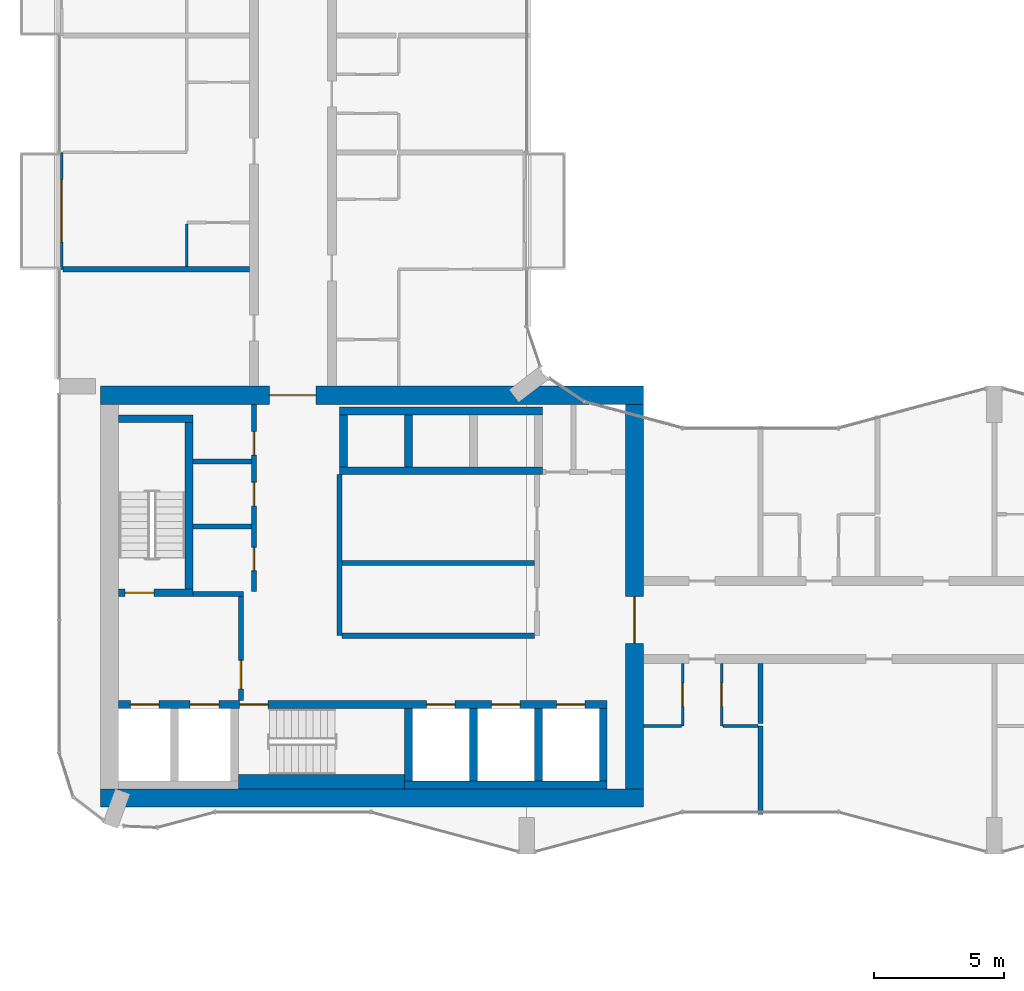
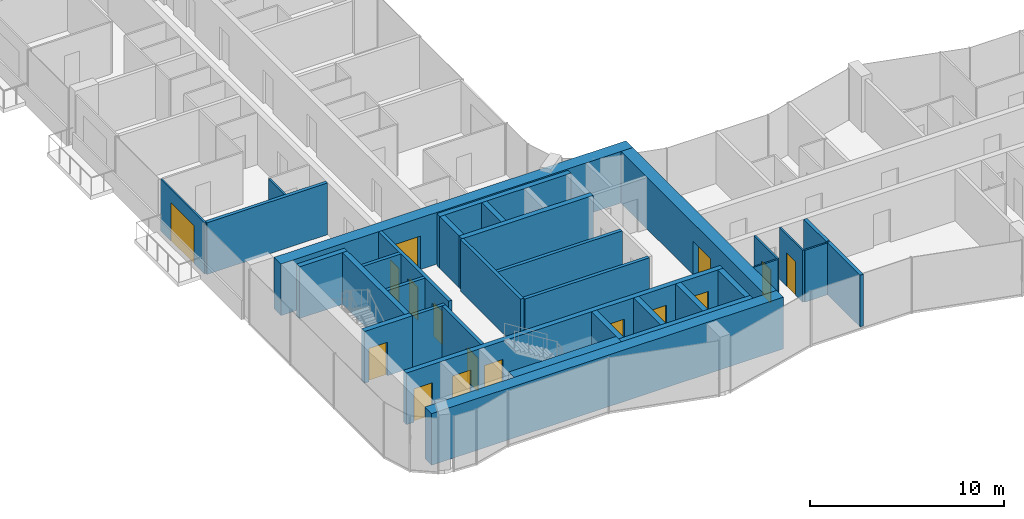
# One storey, part 13 of 22: 34 walls, 16 doors, 16 openings.
"""IFC4 building model written with IfcOpenShell, lengths in metres."""

from ifc_helpers import new_model, si_unit, direction, frame, frame_2d, origin, place, context, subcontext, project, spatial, rectangle, extrude, material, layer, layer_set, type_object, element, fill, save


model = new_model("IFC4")

# Units and contexts
model_context = context("Model", 3, precision=1e-05, world=origin(), true_north=direction((0.0, 1.0)))
body_context = subcontext(model_context, "Body", "Model", "MODEL_VIEW")
ifc_project = project(units=[si_unit("LENGTHUNIT", "METRE"), si_unit("AREAUNIT", "SQUARE_METRE"), si_unit("VOLUMEUNIT", "CUBIC_METRE"), si_unit("PLANEANGLEUNIT", "RADIAN"), si_unit("MASSUNIT", "GRAM", prefix="KILO")], contexts=[model_context])

# Site, building, storey
site_placement = place(None, origin())
site = spatial("IfcSite", under=ifc_project, at=site_placement, CompositionType="ELEMENT")
building_placement = place(site_placement, origin())
building = spatial("IfcBuilding", under=site, at=building_placement, Name="Plateau Cross Towers", CompositionType="ELEMENT")
storey_placement = place(building_placement, frame((0.0, 0.0, 61.800048828125)))
storey = spatial("IfcBuildingStorey", under=building, at=storey_placement, Name="L15", CompositionType="ELEMENT", Elevation=61.800048828125)

# Wall, opening, door
ifc_material_1 = material(Name="Aluminium framed glazing", Category="aluminium")
ifc_layer_1 = layer(ifc_material_1, 0.10009765625)
ifc_layer_set_1 = layer_set([ifc_layer_1], Name="Aluminium framed glazing")
wall_type_1 = type_object("IfcWallType", Name="Balcony screen wall 100", PredefinedType="STANDARD", material=ifc_layer_set_1)
wall_1_placement = place(storey_placement, frame((0.10009765625, 22.5, 0.0), z_axis=(0.0, 0.0, 1.0), x_axis=(0.0, 1.0, 0.0)))
wall_1 = element("IfcWall", 1, at=wall_1_placement, inside=storey, type_object=wall_type_1, Name="Balcony screen wall A-BAL-L15-01", PredefinedType="STANDARD", context=body_context, shape_type="SweptSolid", body=[
    extrude(rectangle(XDim=4.5, YDim=0.10009765625, at=frame_2d((2.25, 0.0))), origin(), (0.0, 0.0, 1.0), 3.25),
])
opening_1_placement = place(wall_1_placement, frame((1.050048828125, 0.0, 0.0)))
opening_1 = element("IfcOpeningElement", 2, at=opening_1_placement, cuts=wall_1, Name="Opening D-B24", PredefinedType="OPENING", context=body_context, shape_type="SweptSolid", body=[
    extrude(rectangle(XDim=2.39990234375, YDim=2.39990234375, at=frame_2d((1.199951171875, 1.199951171875))), frame((0.0, 0.06005859375, 0.0), z_axis=(0.0, -1.0, 0.0), x_axis=(1.0, 0.0, 0.0)), (0.0, 0.0, 1.0), 0.1201171875),
])
ifc_material_2 = material(Name="Aluminium frame, double glazing", Category="aluminium")
door_type_1 = type_object("IfcDoorType", Name="Balcony sliding door 2400", OperationType="NOTDEFINED", PredefinedType="DOOR", material=ifc_material_2)
door_1_placement = place(opening_1_placement, origin())
door_1 = element("IfcDoor", 3, at=door_1_placement, inside=storey, type_object=door_type_1, Name="Balcony door A-BAL-L15-01", OperationType="SINGLE_SWING_LEFT", OverallHeight=2.39990234375, OverallWidth=2.39990234375, PredefinedType="DOOR", context=body_context, shape_type="SweptSolid", body=[
    extrude(rectangle(XDim=2.39990234375, YDim=2.39990234375, at=frame_2d((1.199951171875, 1.199951171875))), frame((0.0, 0.02490234375, 0.0), z_axis=(0.0, -1.0, 0.0), x_axis=(1.0, 0.0, 0.0)), (0.0, 0.0, 1.0), 0.050048828125),
])
fill(opening_1, door_1)

ifc_material_3 = material(Name="Concrete block, plastered both sides", Category="concrete")
ifc_layer_2 = layer(ifc_material_3, 0.199951171875)
ifc_layer_set_2 = layer_set([ifc_layer_2], Name="Concrete block, plastered both sides")
wall_type_2 = type_object("IfcWallType", Name="Core partition 200", PredefinedType="PARTITIONING", material=ifc_layer_set_2)
wall_2_placement = place(storey_placement, frame((7.0, 5.89990234375, 0.0), z_axis=(0.0, 0.0, 1.0), x_axis=(0.0, 1.0, 0.0)))
wall_2 = element("IfcWall", 4, at=wall_2_placement, inside=storey, type_object=wall_type_2, Name="Core partition", PredefinedType="PARTITIONING", context=body_context, shape_type="SweptSolid", body=[
    extrude(rectangle(XDim=4.0, YDim=0.199951171875, at=frame_2d((2.0, 0.0))), origin(), (0.0, 0.0, 1.0), 3.25),
])
opening_2_placement = place(wall_2_placement, frame((0.449951171875, 0.0, 0.0)))
opening_2 = element("IfcOpeningElement", 5, at=opening_2_placement, cuts=wall_2, Name="Opening FFD", PredefinedType="OPENING", context=body_context, shape_type="SweptSolid", body=[
    extrude(rectangle(XDim=1.10009765625, YDim=2.10009765625, at=frame_2d((0.550048828125, 1.050048828125))), frame((0.0, 0.10986328125, 0.0), z_axis=(0.0, -1.0, 0.0), x_axis=(1.0, 0.0, 0.0)), (0.0, 0.0, 1.0), 0.219970703125),
])
ifc_material_4 = material(Name="Steel, fire-resisting leaf", Category="steel")
door_type_2 = type_object("IfcDoorType", Name="Firefighting lobby door 1100", OperationType="NOTDEFINED", PredefinedType="DOOR", material=ifc_material_4)
door_2_placement = place(opening_2_placement, origin())
door_2 = element("IfcDoor", 6, at=door_2_placement, inside=storey, type_object=door_type_2, Name="Firefighting lobby door FFD", OperationType="SINGLE_SWING_LEFT", OverallHeight=2.10009765625, OverallWidth=1.10009765625, PredefinedType="DOOR", context=body_context, shape_type="SweptSolid", body=[
    extrude(rectangle(XDim=1.10009765625, YDim=2.10009765625, at=frame_2d((0.550048828125, 1.050048828125))), frame((0.0, 0.02490234375, 0.0), z_axis=(0.0, -1.0, 0.0), x_axis=(1.0, 0.0, 0.0)), (0.0, 0.0, 1.0), 0.050048828125),
])
fill(opening_2, door_2)

# Walls
wall_3_placement = place(storey_placement, frame((5.14990234375, 10.0, 0.0), z_axis=(0.0, 0.0, 1.0), x_axis=(1.0, 0.0, 0.0)))
element("IfcWall", 7, at=wall_3_placement, inside=storey, type_object=wall_type_2, Name="Core partition", PredefinedType="PARTITIONING", context=body_context, shape_type="SweptSolid", body=[
    extrude(rectangle(XDim=1.9501953125, YDim=0.199951171875, at=frame_2d((0.97509765625, 0.0))), origin(), (0.0, 0.0, 1.0), 3.25),
])
wall_4_placement = place(storey_placement, frame((10.800048828125, 8.39990234375, 0.0), z_axis=(0.0, 0.0, 1.0), x_axis=(0.0, 1.0, 0.0)))
element("IfcWall", 8, at=wall_4_placement, inside=storey, type_object=wall_type_2, Name="Core partition", PredefinedType="PARTITIONING", context=body_context, shape_type="SweptSolid", body=[
    extrude(rectangle(XDim=6.2001953125, YDim=0.199951171875, at=frame_2d((3.10009765625, 0.0))), origin(), (0.0, 0.0, 1.0), 3.25),
])
for number, where, z_axis, x_axis, name in (
    (9, (10.89990234375, 8.39990234375, 0.0), (0.0, 0.0, 1.0), (1.0, 0.0, 0.0), "Core partition"),
    (10, (10.89990234375, 11.199951171875, 0.0), (0.0, 0.0, 1.0), (1.0, 0.0, 0.0), "Core partition"),
):
    element("IfcWall", number, at=place(storey_placement, frame(where, z_axis=z_axis, x_axis=x_axis)), inside=storey, type_object=wall_type_2, Name=name, PredefinedType="PARTITIONING", context=body_context, shape_type="SweptSolid", body=[
        extrude(rectangle(XDim=7.400146484375, YDim=0.199951171875, at=frame_2d((3.7001953125, 0.0))), origin(), (0.0, 0.0, 1.0), 3.25),
    ])

# Wall, openings, doors
wall_5_placement = place(storey_placement, frame((7.5, 10.10009765625, 0.0), z_axis=(0.0, 0.0, 1.0), x_axis=(0.0, 1.0, 0.0)))
wall_5 = element("IfcWall", 11, at=wall_5_placement, inside=storey, type_object=wall_type_2, Name="Core partition", PredefinedType="PARTITIONING", context=body_context, shape_type="SweptSolid", body=[
    extrude(rectangle(XDim=7.199951171875, YDim=0.199951171875, at=frame_2d((3.60009765625, 0.0))), origin(), (0.0, 0.0, 1.0), 3.25),
])
opening_3_placement = place(wall_5_placement, frame((0.800048828125, 0.0, 0.0)))
opening_3 = element("IfcOpeningElement", 12, at=opening_3_placement, cuts=wall_5, Name="Opening RD1", PredefinedType="OPENING", context=body_context, shape_type="SweptSolid", body=[
    extrude(rectangle(XDim=0.89990234375, YDim=2.10009765625, at=frame_2d((0.449951171875, 1.050048828125))), frame((0.0, 0.10986328125, 0.0), z_axis=(0.0, -1.0, 0.0), x_axis=(1.0, 0.0, 0.0)), (0.0, 0.0, 1.0), 0.219970703125),
])
opening_4_placement = place(wall_5_placement, frame((3.300048828125, 0.0, 0.0)))
opening_4 = element("IfcOpeningElement", 13, at=opening_4_placement, cuts=wall_5, Name="Opening RD1", PredefinedType="OPENING", context=body_context, shape_type="SweptSolid", body=[
    extrude(rectangle(XDim=0.89990234375, YDim=2.10009765625, at=frame_2d((0.449951171875, 1.050048828125))), frame((0.0, 0.10986328125, 0.0), z_axis=(0.0, -1.0, 0.0), x_axis=(1.0, 0.0, 0.0)), (0.0, 0.0, 1.0), 0.219970703125),
])
opening_5_placement = place(wall_5_placement, frame((5.25, 0.0, 0.0)))
opening_5 = element("IfcOpeningElement", 14, at=opening_5_placement, cuts=wall_5, Name="Opening RD1", PredefinedType="OPENING", context=body_context, shape_type="SweptSolid", body=[
    extrude(rectangle(XDim=0.89990234375, YDim=2.10009765625, at=frame_2d((0.449951171875, 1.050048828125))), frame((0.0, 0.10986328125, 0.0), z_axis=(0.0, -1.0, 0.0), x_axis=(1.0, 0.0, 0.0)), (0.0, 0.0, 1.0), 0.219970703125),
])
ifc_material_5 = material(Name="Timber, fire-resisting leaf", Category="wood")
door_type_3 = type_object("IfcDoorType", Name="Core service door 900", OperationType="NOTDEFINED", PredefinedType="DOOR", material=ifc_material_5)
door_3_placement = place(opening_3_placement, origin())
door_3 = element("IfcDoor", 15, at=door_3_placement, inside=storey, type_object=door_type_3, Name="Core service door RD1", OperationType="SINGLE_SWING_RIGHT", OverallHeight=2.10009765625, OverallWidth=0.89990234375, PredefinedType="DOOR", context=body_context, shape_type="SweptSolid", body=[
    extrude(rectangle(XDim=0.89990234375, YDim=2.10009765625, at=frame_2d((0.449951171875, 1.050048828125))), frame((0.0, 0.02490234375, 0.0), z_axis=(0.0, -1.0, 0.0), x_axis=(1.0, 0.0, 0.0)), (0.0, 0.0, 1.0), 0.050048828125),
])
fill(opening_3, door_3)
door_4_placement = place(opening_4_placement, origin())
door_4 = element("IfcDoor", 16, at=door_4_placement, inside=storey, type_object=door_type_3, Name="Core service door RD1", OperationType="SINGLE_SWING_RIGHT", OverallHeight=2.10009765625, OverallWidth=0.89990234375, PredefinedType="DOOR", context=body_context, shape_type="SweptSolid", body=[
    extrude(rectangle(XDim=0.89990234375, YDim=2.10009765625, at=frame_2d((0.449951171875, 1.050048828125))), frame((0.0, 0.02490234375, 0.0), z_axis=(0.0, -1.0, 0.0), x_axis=(1.0, 0.0, 0.0)), (0.0, 0.0, 1.0), 0.050048828125),
])
fill(opening_4, door_4)
door_5_placement = place(opening_5_placement, origin())
door_5 = element("IfcDoor", 17, at=door_5_placement, inside=storey, type_object=door_type_3, Name="Core service door RD1", OperationType="SINGLE_SWING_RIGHT", OverallHeight=2.10009765625, OverallWidth=0.89990234375, PredefinedType="DOOR", context=body_context, shape_type="SweptSolid", body=[
    extrude(rectangle(XDim=0.89990234375, YDim=2.10009765625, at=frame_2d((0.449951171875, 1.050048828125))), frame((0.0, 0.02490234375, 0.0), z_axis=(0.0, -1.0, 0.0), x_axis=(1.0, 0.0, 0.0)), (0.0, 0.0, 1.0), 0.050048828125),
])
fill(opening_5, door_5)

# Walls
for number, where, z_axis, x_axis, name in (
    (18, (5.14990234375, 12.60009765625, 0.0), (0.0, 0.0, 1.0), (1.0, 0.0, 0.0), "Core partition"),
    (19, (5.14990234375, 15.10009765625, 0.0), (0.0, 0.0, 1.0), (1.0, 0.0, 0.0), "Core partition"),
):
    element("IfcWall", number, at=place(storey_placement, frame(where, z_axis=z_axis, x_axis=x_axis)), inside=storey, type_object=wall_type_2, Name=name, PredefinedType="PARTITIONING", context=body_context, shape_type="SweptSolid", body=[
        extrude(rectangle(XDim=2.25, YDim=0.199951171875, at=frame_2d((1.125, 0.0))), origin(), (0.0, 0.0, 1.0), 3.25),
    ])
ifc_material_6 = material(Name="Concrete C60/75", Category="concrete")
ifc_layer_3 = layer(ifc_material_6, 0.300048828125)
ifc_layer_set_3 = layer_set([ifc_layer_3], Name="Concrete C60/75")
wall_type_3 = type_object("IfcWallType", Name="Core shaft wall 300", PredefinedType="SHEAR", material=ifc_layer_set_3)
wall_6_placement = place(storey_placement, frame((13.300048828125, 2.64990234375, 0.0), z_axis=(0.0, 0.0, 1.0), x_axis=(1.0, 0.0, 0.0)))
element("IfcWall", 20, at=wall_6_placement, inside=storey, type_object=wall_type_3, Name="A-sb-back3@L15", PredefinedType="SHEAR", context=body_context, shape_type="SweptSolid", body=[
    extrude(rectangle(XDim=7.800048828125, YDim=0.300048828125, at=frame_2d((3.89990234375, 0.0))), origin(), (0.0, 0.0, 1.0), 3.25),
])
for number, where, z_axis, x_axis, name in (
    (21, (13.449951171875, 2.800048828125, 0.0), (0.0, 0.0, 1.0), (0.0, 1.0, 0.0), "A-sb-v3@L15"),
    (22, (15.949951171875, 2.800048828125, 0.0), (0.0, 0.0, 1.0), (0.0, 1.0, 0.0), "A-sb-v4@L15"),
    (23, (18.449951171875, 2.800048828125, 0.0), (0.0, 0.0, 1.0), (0.0, 1.0, 0.0), "A-sb-v5@L15"),
    (24, (20.949951171875, 2.800048828125, 0.0), (0.0, 0.0, 1.0), (0.0, 1.0, 0.0), "A-sb-v6@L15"),
):
    element("IfcWall", number, at=place(storey_placement, frame(where, z_axis=z_axis, x_axis=x_axis)), inside=storey, type_object=wall_type_3, Name=name, PredefinedType="SHEAR", context=body_context, shape_type="SweptSolid", body=[
        extrude(rectangle(XDim=2.800048828125, YDim=0.300048828125, at=frame_2d((1.39990234375, 0.0))), origin(), (0.0, 0.0, 1.0), 3.25),
    ])

# Wall, openings, doors
wall_7_placement = place(storey_placement, frame((2.300048828125, 5.75, 0.0), z_axis=(0.0, 0.0, 1.0), x_axis=(1.0, 0.0, 0.0)))
wall_7 = element("IfcWall", 25, at=wall_7_placement, inside=storey, type_object=wall_type_3, Name="A-sb-front@L15", PredefinedType="SHEAR", context=body_context, shape_type="SweptSolid", body=[
    extrude(rectangle(XDim=18.800048828125, YDim=0.300048828125, at=frame_2d((9.39990234375, 0.0))), origin(), (0.0, 0.0, 1.0), 3.25),
])
opening_6_placement = place(wall_7_placement, frame((4.64990234375, 0.0, 0.0)))
opening_6 = element("IfcOpeningElement", 26, at=opening_6_placement, cuts=wall_7, Name="Opening SD", PredefinedType="OPENING", context=body_context, shape_type="SweptSolid", body=[
    extrude(rectangle(XDim=1.10009765625, YDim=2.10009765625, at=frame_2d((0.550048828125, 1.050048828125))), frame((0.0, 0.159912109375, 0.0), z_axis=(0.0, -1.0, 0.0), x_axis=(1.0, 0.0, 0.0)), (0.0, 0.0, 1.0), 0.320068359375),
])
opening_7_placement = place(wall_7_placement, frame((0.449951171875, 0.0, 0.0)))
opening_7 = element("IfcOpeningElement", 27, at=opening_7_placement, cuts=wall_7, Name="Opening LD", PredefinedType="OPENING", context=body_context, shape_type="SweptSolid", body=[
    extrude(rectangle(XDim=1.10009765625, YDim=2.10009765625, at=frame_2d((0.550048828125, 1.050048828125))), frame((0.0, 0.159912109375, 0.0), z_axis=(0.0, -1.0, 0.0), x_axis=(1.0, 0.0, 0.0)), (0.0, 0.0, 1.0), 0.320068359375),
])
opening_8_placement = place(wall_7_placement, frame((2.75, 0.0, 0.0)))
opening_8 = element("IfcOpeningElement", 28, at=opening_8_placement, cuts=wall_7, Name="Opening LD", PredefinedType="OPENING", context=body_context, shape_type="SweptSolid", body=[
    extrude(rectangle(XDim=1.10009765625, YDim=2.10009765625, at=frame_2d((0.550048828125, 1.050048828125))), frame((0.0, 0.159912109375, 0.0), z_axis=(0.0, -1.0, 0.0), x_axis=(1.0, 0.0, 0.0)), (0.0, 0.0, 1.0), 0.320068359375),
])
opening_9_placement = place(wall_7_placement, frame((11.85009765625, 0.0, 0.0)))
opening_9 = element("IfcOpeningElement", 29, at=opening_9_placement, cuts=wall_7, Name="Opening LD", PredefinedType="OPENING", context=body_context, shape_type="SweptSolid", body=[
    extrude(rectangle(XDim=1.10009765625, YDim=2.10009765625, at=frame_2d((0.550048828125, 1.050048828125))), frame((0.0, 0.159912109375, 0.0), z_axis=(0.0, -1.0, 0.0), x_axis=(1.0, 0.0, 0.0)), (0.0, 0.0, 1.0), 0.320068359375),
])
opening_10_placement = place(wall_7_placement, frame((14.35009765625, 0.0, 0.0)))
opening_10 = element("IfcOpeningElement", 30, at=opening_10_placement, cuts=wall_7, Name="Opening LD", PredefinedType="OPENING", context=body_context, shape_type="SweptSolid", body=[
    extrude(rectangle(XDim=1.10009765625, YDim=2.10009765625, at=frame_2d((0.550048828125, 1.050048828125))), frame((0.0, 0.159912109375, 0.0), z_axis=(0.0, -1.0, 0.0), x_axis=(1.0, 0.0, 0.0)), (0.0, 0.0, 1.0), 0.320068359375),
])
opening_11_placement = place(wall_7_placement, frame((16.85009765625, 0.0, 0.0)))
opening_11 = element("IfcOpeningElement", 31, at=opening_11_placement, cuts=wall_7, Name="Opening LD", PredefinedType="OPENING", context=body_context, shape_type="SweptSolid", body=[
    extrude(rectangle(XDim=1.10009765625, YDim=2.10009765625, at=frame_2d((0.550048828125, 1.050048828125))), frame((0.0, 0.159912109375, 0.0), z_axis=(0.0, -1.0, 0.0), x_axis=(1.0, 0.0, 0.0)), (0.0, 0.0, 1.0), 0.320068359375),
])
ifc_material_7 = material(Name="Stainless steel, fire-resisting sliding leaves", Category="steel")
door_type_4 = type_object("IfcDoorType", Name="Lift landing door 1100", OperationType="NOTDEFINED", PredefinedType="DOOR", material=ifc_material_7)
door_6_placement = place(opening_7_placement, origin())
door_6 = element("IfcDoor", 32, at=door_6_placement, inside=storey, type_object=door_type_4, Name="Lift landing door LD", OperationType="DOUBLE_DOOR_SLIDING", OverallHeight=2.10009765625, OverallWidth=1.10009765625, PredefinedType="DOOR", context=body_context, shape_type="SweptSolid", body=[
    extrude(rectangle(XDim=1.10009765625, YDim=2.10009765625, at=frame_2d((0.550048828125, 1.050048828125))), frame((0.0, 0.02490234375, 0.0), z_axis=(0.0, -1.0, 0.0), x_axis=(1.0, 0.0, 0.0)), (0.0, 0.0, 1.0), 0.050048828125),
])
fill(opening_7, door_6)
door_7_placement = place(opening_8_placement, origin())
door_7 = element("IfcDoor", 33, at=door_7_placement, inside=storey, type_object=door_type_4, Name="Lift landing door LD", OperationType="DOUBLE_DOOR_SLIDING", OverallHeight=2.10009765625, OverallWidth=1.10009765625, PredefinedType="DOOR", context=body_context, shape_type="SweptSolid", body=[
    extrude(rectangle(XDim=1.10009765625, YDim=2.10009765625, at=frame_2d((0.550048828125, 1.050048828125))), frame((0.0, 0.02490234375, 0.0), z_axis=(0.0, -1.0, 0.0), x_axis=(1.0, 0.0, 0.0)), (0.0, 0.0, 1.0), 0.050048828125),
])
fill(opening_8, door_7)
door_8_placement = place(opening_9_placement, origin())
door_8 = element("IfcDoor", 34, at=door_8_placement, inside=storey, type_object=door_type_4, Name="Lift landing door LD", OperationType="DOUBLE_DOOR_SLIDING", OverallHeight=2.10009765625, OverallWidth=1.10009765625, PredefinedType="DOOR", context=body_context, shape_type="SweptSolid", body=[
    extrude(rectangle(XDim=1.10009765625, YDim=2.10009765625, at=frame_2d((0.550048828125, 1.050048828125))), frame((0.0, 0.02490234375, 0.0), z_axis=(0.0, -1.0, 0.0), x_axis=(1.0, 0.0, 0.0)), (0.0, 0.0, 1.0), 0.050048828125),
])
fill(opening_9, door_8)
door_9_placement = place(opening_10_placement, origin())
door_9 = element("IfcDoor", 35, at=door_9_placement, inside=storey, type_object=door_type_4, Name="Lift landing door LD", OperationType="DOUBLE_DOOR_SLIDING", OverallHeight=2.10009765625, OverallWidth=1.10009765625, PredefinedType="DOOR", context=body_context, shape_type="SweptSolid", body=[
    extrude(rectangle(XDim=1.10009765625, YDim=2.10009765625, at=frame_2d((0.550048828125, 1.050048828125))), frame((0.0, 0.02490234375, 0.0), z_axis=(0.0, -1.0, 0.0), x_axis=(1.0, 0.0, 0.0)), (0.0, 0.0, 1.0), 0.050048828125),
])
fill(opening_10, door_9)
door_10_placement = place(opening_11_placement, origin())
door_10 = element("IfcDoor", 36, at=door_10_placement, inside=storey, type_object=door_type_4, Name="Lift landing door LD", OperationType="DOUBLE_DOOR_SLIDING", OverallHeight=2.10009765625, OverallWidth=1.10009765625, PredefinedType="DOOR", context=body_context, shape_type="SweptSolid", body=[
    extrude(rectangle(XDim=1.10009765625, YDim=2.10009765625, at=frame_2d((0.550048828125, 1.050048828125))), frame((0.0, 0.02490234375, 0.0), z_axis=(0.0, -1.0, 0.0), x_axis=(1.0, 0.0, 0.0)), (0.0, 0.0, 1.0), 0.050048828125),
])
fill(opening_11, door_10)
door_type_5 = type_object("IfcDoorType", Name="Stair door 1100", OperationType="NOTDEFINED", PredefinedType="DOOR", material=ifc_material_4)
door_11_placement = place(opening_6_placement, origin())
door_11 = element("IfcDoor", 37, at=door_11_placement, inside=storey, type_object=door_type_5, Name="Stair door SD", OperationType="SINGLE_SWING_LEFT", OverallHeight=2.10009765625, OverallWidth=1.10009765625, PredefinedType="DOOR", context=body_context, shape_type="SweptSolid", body=[
    extrude(rectangle(XDim=1.10009765625, YDim=2.10009765625, at=frame_2d((0.550048828125, 1.050048828125))), frame((0.0, 0.02490234375, 0.0), z_axis=(0.0, -1.0, 0.0), x_axis=(1.0, 0.0, 0.0)), (0.0, 0.0, 1.0), 0.050048828125),
])
fill(opening_6, door_11)

# Wall, opening, door
wall_8_placement = place(storey_placement, frame((2.300048828125, 10.050048828125, 0.0), z_axis=(0.0, 0.0, 1.0), x_axis=(1.0, 0.0, 0.0)))
wall_8 = element("IfcWall", 38, at=wall_8_placement, inside=storey, type_object=wall_type_3, Name="A-st1-S@L15", PredefinedType="SHEAR", context=body_context, shape_type="SweptSolid", body=[
    extrude(rectangle(XDim=2.849853515625, YDim=0.300048828125, at=frame_2d((1.4248046875, 0.0))), origin(), (0.0, 0.0, 1.0), 3.25),
])
opening_12_placement = place(wall_8_placement, frame((0.25, 0.0, 0.0)))
opening_12 = element("IfcOpeningElement", 39, at=opening_12_placement, cuts=wall_8, Name="Opening SD", PredefinedType="OPENING", context=body_context, shape_type="SweptSolid", body=[
    extrude(rectangle(XDim=1.10009765625, YDim=2.10009765625, at=frame_2d((0.550048828125, 1.050048828125))), frame((0.0, 0.159912109375, 0.0), z_axis=(0.0, -1.0, 0.0), x_axis=(1.0, 0.0, 0.0)), (0.0, 0.0, 1.0), 0.320068359375),
])
door_12_placement = place(opening_12_placement, origin())
door_12 = element("IfcDoor", 40, at=door_12_placement, inside=storey, type_object=door_type_5, Name="Stair door SD", OperationType="SINGLE_SWING_RIGHT", OverallHeight=2.10009765625, OverallWidth=1.10009765625, PredefinedType="DOOR", context=body_context, shape_type="SweptSolid", body=[
    extrude(rectangle(XDim=1.10009765625, YDim=2.10009765625, at=frame_2d((0.550048828125, 1.050048828125))), frame((0.0, 0.02490234375, 0.0), z_axis=(0.0, -1.0, 0.0), x_axis=(1.0, 0.0, 0.0)), (0.0, 0.0, 1.0), 0.050048828125),
])
fill(opening_12, door_12)

# Walls
wall_9_placement = place(storey_placement, frame((5.0, 10.199951171875, 0.0), z_axis=(0.0, 0.0, 1.0), x_axis=(0.0, 1.0, 0.0)))
element("IfcWall", 41, at=wall_9_placement, inside=storey, type_object=wall_type_3, Name="A-st1-E@L15", PredefinedType="SHEAR", context=body_context, shape_type="SweptSolid", body=[
    extrude(rectangle(XDim=6.400146484375, YDim=0.300048828125, at=frame_2d((3.2001953125, 0.0))), origin(), (0.0, 0.0, 1.0), 3.25),
])
wall_10_placement = place(storey_placement, frame((2.300048828125, 16.75, 0.0), z_axis=(0.0, 0.0, 1.0), x_axis=(1.0, 0.0, 0.0)))
element("IfcWall", 42, at=wall_10_placement, inside=storey, type_object=wall_type_3, Name="A-st1-N@L15", PredefinedType="SHEAR", context=body_context, shape_type="SweptSolid", body=[
    extrude(rectangle(XDim=2.849853515625, YDim=0.300048828125, at=frame_2d((1.4248046875, 0.0))), origin(), (0.0, 0.0, 1.0), 3.25),
])
for number, where, z_axis, x_axis, name in (
    (43, (10.800048828125, 17.050048828125, 0.0), (0.0, 0.0, 1.0), (1.0, 0.0, 0.0), "A-nb-back@L15"),
    (44, (10.800048828125, 14.75, 0.0), (0.0, 0.0, 1.0), (1.0, 0.0, 0.0), "A-nb-front@L15"),
):
    element("IfcWall", number, at=place(storey_placement, frame(where, z_axis=z_axis, x_axis=x_axis)), inside=storey, type_object=wall_type_3, Name=name, PredefinedType="SHEAR", context=body_context, shape_type="SweptSolid", body=[
        extrude(rectangle(XDim=7.800048828125, YDim=0.300048828125, at=frame_2d((3.89990234375, 0.0))), origin(), (0.0, 0.0, 1.0), 3.25),
    ])
for number, where, z_axis, x_axis, name in (
    (45, (10.949951171875, 14.89990234375, 0.0), (0.0, 0.0, 1.0), (0.0, 1.0, 0.0), "A-nb-v1@L15"),
    (46, (13.449951171875, 14.89990234375, 0.0), (0.0, 0.0, 1.0), (0.0, 1.0, 0.0), "A-nb-v2@L15"),
):
    element("IfcWall", number, at=place(storey_placement, frame(where, z_axis=z_axis, x_axis=x_axis)), inside=storey, type_object=wall_type_3, Name=name, PredefinedType="SHEAR", context=body_context, shape_type="SweptSolid", body=[
        extrude(rectangle(XDim=2.0, YDim=0.300048828125, at=frame_2d((1.0, 0.0))), origin(), (0.0, 0.0, 1.0), 3.25),
    ])
ifc_layer_4 = layer(ifc_material_6, 0.550048828125)
ifc_layer_set_4 = layer_set([ifc_layer_4], Name="Concrete C60/75")
wall_type_4 = type_object("IfcWallType", Name="Core shaft wall 550", PredefinedType="SHEAR", material=ifc_layer_set_4)
wall_11_placement = place(storey_placement, frame((6.89990234375, 2.77490234375, 0.0), z_axis=(0.0, 0.0, 1.0), x_axis=(1.0, 0.0, 0.0)))
element("IfcWall", 47, at=wall_11_placement, inside=storey, type_object=wall_type_4, Name="A-sb-back2@L15", PredefinedType="SHEAR", context=body_context, shape_type="SweptSolid", body=[
    extrude(rectangle(XDim=6.400146484375, YDim=0.550048828125, at=frame_2d((3.2001953125, 0.0))), origin(), (0.0, 0.0, 1.0), 3.25),
])
ifc_layer_5 = layer(ifc_material_6, 0.699951171875)
ifc_layer_set_5 = layer_set([ifc_layer_5], Name="Concrete C60/75")
wall_type_5 = type_object("IfcWallType", Name="Core shell wall 700", PredefinedType="SHEAR", material=ifc_layer_set_5)
wall_12_placement = place(storey_placement, frame((1.60009765625, 2.14990234375, 0.0), z_axis=(0.0, 0.0, 1.0), x_axis=(1.0, 0.0, 0.0)))
element("IfcWall", 48, at=wall_12_placement, inside=storey, type_object=wall_type_5, Name="A-core-S@L15", PredefinedType="SHEAR", context=body_context, shape_type="SweptSolid", body=[
    extrude(rectangle(XDim=20.89990234375, YDim=0.699951171875, at=frame_2d((10.449951171875, 0.0))), origin(), (0.0, 0.0, 1.0), 3.25),
])

# Wall, opening, door
wall_13_placement = place(storey_placement, frame((1.60009765625, 17.64990234375, 0.0), z_axis=(0.0, 0.0, 1.0), x_axis=(1.0, 0.0, 0.0)))
wall_13 = element("IfcWall", 49, at=wall_13_placement, inside=storey, type_object=wall_type_5, Name="A-core-N@L15", PredefinedType="SHEAR", context=body_context, shape_type="SweptSolid", body=[
    extrude(rectangle(XDim=20.89990234375, YDim=0.699951171875, at=frame_2d((10.449951171875, 0.0))), origin(), (0.0, 0.0, 1.0), 3.25),
])
opening_13_placement = place(wall_13_placement, frame((6.5, 0.0, 0.0)))
opening_13 = element("IfcOpeningElement", 50, at=opening_13_placement, cuts=wall_13, Name="Opening CD", PredefinedType="OPENING", context=body_context, shape_type="SweptSolid", body=[
    extrude(rectangle(XDim=1.800048828125, YDim=2.10009765625, at=frame_2d((0.89990234375, 1.050048828125))), frame((0.0, 0.35986328125, 0.0), z_axis=(0.0, -1.0, 0.0), x_axis=(1.0, 0.0, 0.0)), (0.0, 0.0, 1.0), 0.719970703125),
])
ifc_material_8 = material(Name="Steel, fire-resisting leaves", Category="steel")
door_type_6 = type_object("IfcDoorType", Name="Corridor door pair 1800", OperationType="NOTDEFINED", PredefinedType="DOOR", material=ifc_material_8)
door_13_placement = place(opening_13_placement, origin())
door_13 = element("IfcDoor", 51, at=door_13_placement, inside=storey, type_object=door_type_6, Name="Corridor door pair CD", OperationType="DOUBLE_DOOR_SINGLE_SWING", OverallHeight=2.10009765625, OverallWidth=1.800048828125, PredefinedType="DOOR", context=body_context, shape_type="SweptSolid", body=[
    extrude(rectangle(XDim=1.800048828125, YDim=2.10009765625, at=frame_2d((0.89990234375, 1.050048828125))), frame((0.0, 0.02490234375, 0.0), z_axis=(0.0, -1.0, 0.0), x_axis=(1.0, 0.0, 0.0)), (0.0, 0.0, 1.0), 0.050048828125),
])
fill(opening_13, door_13)

wall_14_placement = place(storey_placement, frame((22.14990234375, 2.5, 0.0), z_axis=(0.0, 0.0, 1.0), x_axis=(0.0, 1.0, 0.0)))
wall_14 = element("IfcWall", 52, at=wall_14_placement, inside=storey, type_object=wall_type_5, Name="A-core-E@L15", PredefinedType="SHEAR", context=body_context, shape_type="SweptSolid", body=[
    extrude(rectangle(XDim=14.800048828125, YDim=0.699951171875, at=frame_2d((7.39990234375, 0.0))), origin(), (0.0, 0.0, 1.0), 3.25),
])
opening_14_placement = place(wall_14_placement, frame((5.60009765625, 0.0, 0.0)))
opening_14 = element("IfcOpeningElement", 53, at=opening_14_placement, cuts=wall_14, Name="Opening CD", PredefinedType="OPENING", context=body_context, shape_type="SweptSolid", body=[
    extrude(rectangle(XDim=1.800048828125, YDim=2.10009765625, at=frame_2d((0.89990234375, 1.050048828125))), frame((0.0, 0.35986328125, 0.0), z_axis=(0.0, -1.0, 0.0), x_axis=(1.0, 0.0, 0.0)), (0.0, 0.0, 1.0), 0.719970703125),
])
door_14_placement = place(opening_14_placement, origin())
door_14 = element("IfcDoor", 54, at=door_14_placement, inside=storey, type_object=door_type_6, Name="Corridor door pair CD", OperationType="DOUBLE_DOOR_SINGLE_SWING", OverallHeight=2.10009765625, OverallWidth=1.800048828125, PredefinedType="DOOR", context=body_context, shape_type="SweptSolid", body=[
    extrude(rectangle(XDim=1.800048828125, YDim=2.10009765625, at=frame_2d((0.89990234375, 1.050048828125))), frame((0.0, 0.02490234375, 0.0), z_axis=(0.0, -1.0, 0.0), x_axis=(1.0, 0.0, 0.0)), (0.0, 0.0, 1.0), 0.050048828125),
])
fill(opening_14, door_14)

# Walls
ifc_material_9 = material(Name="Gypsum board on steel studs", Category="steel")
ifc_layer_6 = layer(ifc_material_9, 0.10009765625)
ifc_layer_set_6 = layer_set([ifc_layer_6], Name="Gypsum board on steel studs")
wall_type_6 = type_object("IfcWallType", Name="Flat partition 100", PredefinedType="PARTITIONING", material=ifc_layer_set_6)
wall_15_placement = place(storey_placement, frame((22.5, 4.925048828125, 0.0), z_axis=(0.0, 0.0, 1.0), x_axis=(1.0, 0.0, 0.0)))
element("IfcWall", 55, at=wall_15_placement, inside=storey, type_object=wall_type_6, Name="Partition wall", PredefinedType="PARTITIONING", context=body_context, shape_type="SweptSolid", body=[
    extrude(rectangle(XDim=1.449951171875, YDim=0.10009765625, at=frame_2d((0.72509765625, 0.0))), origin(), (0.0, 0.0, 1.0), 3.25),
])
wall_16_placement = place(storey_placement, frame((25.550048828125, 4.925048828125, 0.0), z_axis=(0.0, 0.0, 1.0), x_axis=(1.0, 0.0, 0.0)))
element("IfcWall", 56, at=wall_16_placement, inside=storey, type_object=wall_type_6, Name="Partition wall", PredefinedType="PARTITIONING", context=body_context, shape_type="SweptSolid", body=[
    extrude(rectangle(XDim=1.349853515625, YDim=0.10009765625, at=frame_2d((0.6748046875, 0.0))), origin(), (0.0, 0.0, 1.0), 3.25),
])
wall_17_placement = place(storey_placement, frame((4.925048828125, 24.25, 0.0), z_axis=(0.0, 0.0, 1.0), x_axis=(0.0, -1.0, 0.0)))
element("IfcWall", 57, at=wall_17_placement, inside=storey, type_object=wall_type_6, Name="Partition wall", PredefinedType="PARTITIONING", context=body_context, shape_type="SweptSolid", body=[
    extrude(rectangle(XDim=1.64990234375, YDim=0.10009765625, at=frame_2d((0.824951171875, 0.0))), origin(), (0.0, 0.0, 1.0), 3.25),
])

# Wall, opening, door
wall_18_placement = place(storey_placement, frame((24.0, 4.925048828125, 0.0), z_axis=(0.0, 0.0, 1.0), x_axis=(0.0, 1.0, 0.0)))
wall_18 = element("IfcWall", 58, at=wall_18_placement, inside=storey, type_object=wall_type_6, Name="Partition wall", PredefinedType="PARTITIONING", context=body_context, shape_type="SweptSolid", body=[
    extrude(rectangle(XDim=2.39990234375, YDim=0.10009765625, at=frame_2d((1.199951171875, 0.0))), origin(), (0.0, 0.0, 1.0), 3.25),
])
opening_15_placement = place(wall_18_placement, frame((0.75, 0.0, 0.0)))
opening_15 = element("IfcOpeningElement", 59, at=opening_15_placement, cuts=wall_18, Name="Opening 15-20", PredefinedType="OPENING", context=body_context, shape_type="SweptSolid", body=[
    extrude(rectangle(XDim=0.89990234375, YDim=2.10009765625, at=frame_2d((0.449951171875, 1.050048828125))), frame((0.0, 0.06005859375, 0.0), z_axis=(0.0, -1.0, 0.0), x_axis=(1.0, 0.0, 0.0)), (0.0, 0.0, 1.0), 0.1201171875),
])
ifc_material_10 = material(Name="Timber leaf", Category="wood")
door_type_7 = type_object("IfcDoorType", Name="Flat room door 900", OperationType="NOTDEFINED", PredefinedType="DOOR", material=ifc_material_10)
door_15_placement = place(opening_15_placement, origin())
door_15 = element("IfcDoor", 60, at=door_15_placement, inside=storey, type_object=door_type_7, Name="Door 15-20", OperationType="SINGLE_SWING_LEFT", OverallHeight=2.10009765625, OverallWidth=0.89990234375, PredefinedType="DOOR", context=body_context, shape_type="SweptSolid", body=[
    extrude(rectangle(XDim=0.89990234375, YDim=2.10009765625, at=frame_2d((0.449951171875, 1.050048828125))), frame((0.0, 0.02490234375, 0.0), z_axis=(0.0, -1.0, 0.0), x_axis=(1.0, 0.0, 0.0)), (0.0, 0.0, 1.0), 0.050048828125),
])
fill(opening_15, door_15)

wall_19_placement = place(storey_placement, frame((25.5, 7.324951171875, 0.0), z_axis=(0.0, 0.0, 1.0), x_axis=(0.0, -1.0, 0.0)))
wall_19 = element("IfcWall", 61, at=wall_19_placement, inside=storey, type_object=wall_type_6, Name="Partition wall", PredefinedType="PARTITIONING", context=body_context, shape_type="SweptSolid", body=[
    extrude(rectangle(XDim=2.39990234375, YDim=0.10009765625, at=frame_2d((1.199951171875, 0.0))), origin(), (0.0, 0.0, 1.0), 3.25),
])
opening_16_placement = place(wall_19_placement, frame((0.75, 0.0, 0.0)))
opening_16 = element("IfcOpeningElement", 62, at=opening_16_placement, cuts=wall_19, Name="Opening 15-21", PredefinedType="OPENING", context=body_context, shape_type="SweptSolid", body=[
    extrude(rectangle(XDim=0.89990234375, YDim=2.10009765625, at=frame_2d((0.449951171875, 1.050048828125))), frame((0.0, 0.06005859375, 0.0), z_axis=(0.0, -1.0, 0.0), x_axis=(1.0, 0.0, 0.0)), (0.0, 0.0, 1.0), 0.1201171875),
])
door_16_placement = place(opening_16_placement, origin())
door_16 = element("IfcDoor", 63, at=door_16_placement, inside=storey, type_object=door_type_7, Name="Door 15-21", OperationType="SINGLE_SWING_LEFT", OverallHeight=2.10009765625, OverallWidth=0.89990234375, PredefinedType="DOOR", context=body_context, shape_type="SweptSolid", body=[
    extrude(rectangle(XDim=0.89990234375, YDim=2.10009765625, at=frame_2d((0.449951171875, 1.050048828125))), frame((0.0, 0.02490234375, 0.0), z_axis=(0.0, -1.0, 0.0), x_axis=(1.0, 0.0, 0.0)), (0.0, 0.0, 1.0), 0.050048828125),
])
fill(opening_16, door_16)

# Walls
ifc_material_11 = material(Name="Gypsum board on steel studs, two layers each side", Category="steel")
ifc_layer_7 = layer(ifc_material_11, 0.199951171875)
ifc_layer_set_7 = layer_set([ifc_layer_7], Name="Gypsum board on steel studs, two layers each side")
wall_type_7 = type_object("IfcWallType", Name="Flat party wall 200", PredefinedType="PARTITIONING", material=ifc_layer_set_7)
wall_20_placement = place(storey_placement, frame((7.324951171875, 22.5, 0.0), z_axis=(0.0, 0.0, 1.0), x_axis=(-1.0, 0.0, 0.0)))
element("IfcWall", 64, at=wall_20_placement, inside=storey, type_object=wall_type_7, Name="Party wall", PredefinedType="PARTITIONING", context=body_context, shape_type="SweptSolid", body=[
    extrude(rectangle(XDim=7.175048828125, YDim=0.199951171875, at=frame_2d((3.58740234375, 0.0))), origin(), (0.0, 0.0, 1.0), 3.25),
])
wall_21_placement = place(storey_placement, frame((27.0, 4.925048828125, 0.0), z_axis=(0.0, 0.0, 1.0), x_axis=(0.0, -1.0, 0.0)))
element("IfcWall", 65, at=wall_21_placement, inside=storey, type_object=wall_type_7, Name="Party wall", PredefinedType="PARTITIONING", context=body_context, shape_type="SweptSolid", body=[
    extrude(rectangle(XDim=3.398193359375, YDim=0.199951171875, at=frame_2d((1.69921875, 0.0))), origin(), (0.0, 0.0, 1.0), 3.25),
])
wall_22_placement = place(storey_placement, frame((27.0, 5.02490234375, 0.0), z_axis=(0.0, 0.0, 1.0), x_axis=(0.0, 1.0, 0.0)))
element("IfcWall", 66, at=wall_22_placement, inside=storey, type_object=wall_type_7, Name="Party wall", PredefinedType="PARTITIONING", context=body_context, shape_type="SweptSolid", body=[
    extrude(rectangle(XDim=2.300048828125, YDim=0.199951171875, at=frame_2d((1.14990234375, 0.0))), origin(), (0.0, 0.0, 1.0), 3.25),
])

save(model, "model.ifc")
